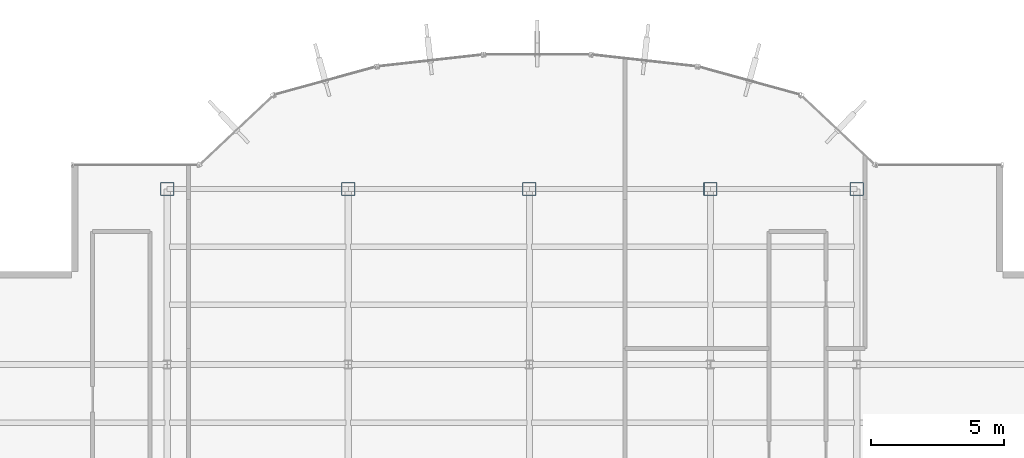
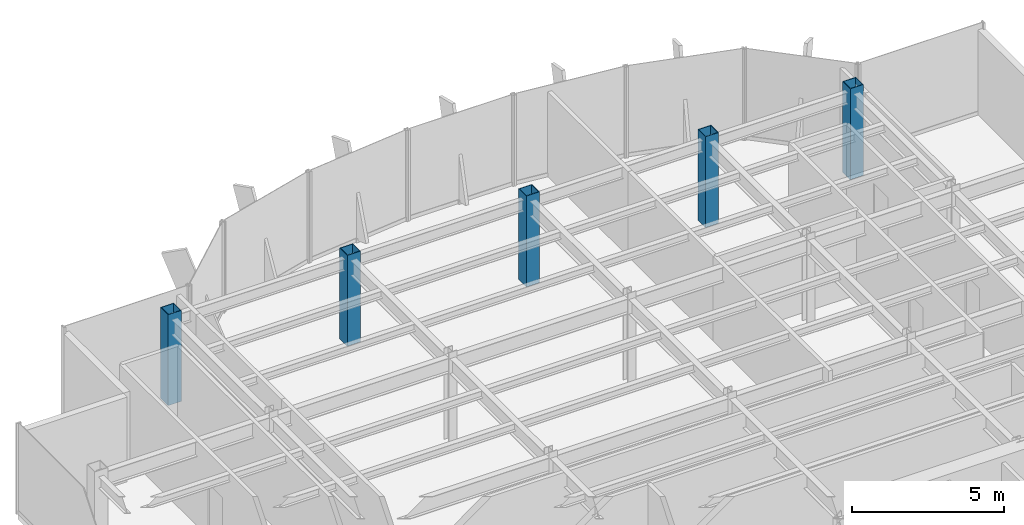
# One storey, part 2 of 22: 5 columns.
"""IFC4 building model written with IfcOpenShell, lengths in metres."""

import ifcopenshell
import ifcopenshell.guid

model = None  # the IFC model being written
_history = None  # IfcOwnerHistory: only IFC2X3 demands one
_inside = {}  # id of a spatial element -> (the spatial element, [elements in it])
_under = {}  # id of a project, library or spatial element -> (it, [spatial elements below it])
_declared = {}  # id of a project -> (the project, [libraries it declares])
_typed = {}  # id of a type object -> (the type object, [elements of that type])
_made_of = {}  # id of a material, layer set ... -> (it, [elements and type objects made of it])


def new_model(schema):
    """Start an empty IFC model of exactly this schema.

    Asked for "IFC4X3", IfcOpenShell would pick the latest addendum, in which some entities
    have other attributes; the version numbers below select the first issue.
    IFC2X3 requires an IfcOwnerHistory on every rooted entity: one is made here for all.
    """
    global model, _history
    if schema == "IFC4X3":
        model = ifcopenshell.file(schema_version=(4, 3, 0, 0))
    else:
        model = ifcopenshell.file(schema=schema)
    _inside.clear()
    _under.clear()
    _declared.clear()
    _typed.clear()
    _made_of.clear()
    _history = None
    if model.schema == "IFC2X3":
        org = make("IfcOrganization", Name="unknown")
        user = make(
            "IfcPersonAndOrganization",
            ThePerson=make("IfcPerson", FamilyName="unknown"),
            TheOrganization=org,
        )
        app = make(
            "IfcApplication",
            ApplicationDeveloper=org,
            Version="unknown",
            ApplicationFullName="unknown",
            ApplicationIdentifier="unknown",
        )
        _history = make(
            "IfcOwnerHistory",
            OwningUser=user,
            OwningApplication=app,
            ChangeAction="ADDED",
            CreationDate=0,
        )
    return model


def make(cls, **values):
    """One entity of the class cls with the attributes given. An attribute that is None is left unset."""
    return model.create_entity(
        cls, **{name: value for name, value in values.items() if value is not None}
    )


def rooted(cls, **values):
    """An entity with a GlobalId (a new one), such as an element, a storey or a relation."""
    return make(cls, GlobalId=ifcopenshell.guid.new(), OwnerHistory=_history, **values)


def si_unit(unit_type, name, prefix=None):
    """IfcSIUnit, for example si_unit("LENGTHUNIT", "METRE", prefix="MILLI")."""
    return make("IfcSIUnit", UnitType=unit_type, Prefix=prefix, Name=name)


def derived_unit(unit_type, elements):
    """IfcDerivedUnit: a product of units, each with its exponent."""
    return make(
        "IfcDerivedUnit",
        Elements=[
            make("IfcDerivedUnitElement", Unit=unit, Exponent=power)
            for unit, power in elements
        ],
        UnitType=unit_type,
    )


def assignment(units):
    """IfcUnitAssignment: the units of a project."""
    return None if units is None else make("IfcUnitAssignment", Units=units)


def point(xyz):
    """IfcCartesianPoint."""
    return None if xyz is None else make("IfcCartesianPoint", Coordinates=xyz)


def direction(xyz):
    """IfcDirection."""
    return None if xyz is None else make("IfcDirection", DirectionRatios=xyz)


def frame(location, z_axis=None, x_axis=None):
    """IfcAxis2Placement3D, a coordinate frame: its origin and axes. An axis left out is left unset."""
    return make(
        "IfcAxis2Placement3D",
        Location=point(location),
        Axis=direction(z_axis),
        RefDirection=direction(x_axis),
    )


def frame_2d(location, x_axis=None):
    """IfcAxis2Placement2D, a coordinate frame in the plane: its origin and x axis."""
    return make(
        "IfcAxis2Placement2D", Location=point(location), RefDirection=direction(x_axis)
    )


def origin():
    """The frame at (0, 0, 0) with its axes left unset."""
    return frame((0.0, 0.0, 0.0))


def origin_2d():
    """The frame at (0, 0) in the plane with its x axis left unset."""
    return frame_2d((0.0, 0.0))


def place(relative_to, where):
    """IfcLocalPlacement: puts the frame where relative to a parent placement (None: the world)."""
    return make(
        "IfcLocalPlacement", PlacementRelTo=relative_to, RelativePlacement=where
    )


def context(
    kind, dimensions, precision=None, world=None, true_north=None, identifier=None
):
    """IfcGeometricRepresentationContext, for example the 3D "Model" context."""
    return make(
        "IfcGeometricRepresentationContext",
        ContextIdentifier=identifier,
        ContextType=kind,
        CoordinateSpaceDimension=dimensions,
        Precision=precision,
        WorldCoordinateSystem=world,
        TrueNorth=true_north,
    )


def subcontext(parent, identifier, kind, view, scale=None):
    """IfcGeometricRepresentationSubContext, for example "Body" below "Model"."""
    return make(
        "IfcGeometricRepresentationSubContext",
        ContextIdentifier=identifier,
        ContextType=kind,
        ParentContext=parent,
        TargetScale=scale,
        TargetView=view,
    )


def project(units=None, contexts=None):
    """IfcProject with its units and contexts."""
    return rooted(
        "IfcProject",
        Name="project",
        RepresentationContexts=contexts,
        UnitsInContext=assignment(units),
    )


def spatial(cls, under=None, at=None, **own):
    """A site, building, storey or space (cls), placed at a placement, below another one or the project."""
    s = rooted(cls, ObjectPlacement=at, **own)
    if under is not None:
        _under.setdefault(under.id(), (under, []))[1].append(s)
    return s


def profile(cls, at=None, kind="AREA", **sizes):
    """A parametric profile (cls). Its sizes go by their IFC names, for example OverallWidth=200.0."""
    return make(cls, ProfileType=kind, Position=at, **sizes)


def hollow_rectangle(**sizes):
    """IfcRectangleHollowProfileDef."""
    return profile("IfcRectangleHollowProfileDef", **sizes)


def extrude(swept, where, along, depth):
    """IfcExtrudedAreaSolid: the profile swept, set in the frame where, extruded along a direction by depth."""
    return make(
        "IfcExtrudedAreaSolid",
        SweptArea=swept,
        Position=where,
        ExtrudedDirection=direction(along),
        Depth=depth,
    )


def shape(context_of_items, identifier, shape_type, items):
    """IfcShapeRepresentation: the items that make up one representation, for example the "Body"."""
    return make(
        "IfcShapeRepresentation",
        ContextOfItems=context_of_items,
        RepresentationIdentifier=identifier,
        RepresentationType=shape_type,
        Items=items,
    )


def source(mapping_origin, context_of_items, identifier, shape_type, items):
    """IfcRepresentationMap: a shape defined once, which mapped items show again and again."""
    return make(
        "IfcRepresentationMap",
        MappingOrigin=mapping_origin,
        MappedRepresentation=shape(context_of_items, identifier, shape_type, items),
    )


def transform(
    local_origin,
    x_axis=None,
    y_axis=None,
    z_axis=None,
    scale=None,
    scale2=None,
    scale3=None,
    uniform=True,
):
    """IfcCartesianTransformationOperator3D, or its non-uniform kind. x_axis, y_axis, z_axis: its Axis1, 2, 3."""
    if uniform:
        return make(
            "IfcCartesianTransformationOperator3D",
            Axis1=direction(x_axis),
            Axis2=direction(y_axis),
            LocalOrigin=point(local_origin),
            Scale=scale,
            Axis3=direction(z_axis),
        )
    return make(
        "IfcCartesianTransformationOperator3DnonUniform",
        Axis1=direction(x_axis),
        Axis2=direction(y_axis),
        LocalOrigin=point(local_origin),
        Scale=scale,
        Axis3=direction(z_axis),
        Scale2=scale2,
        Scale3=scale3,
    )


def mapped(mapping_source, mapping_target):
    """IfcMappedItem: shows the shape of a source again, moved by a transform."""
    return make(
        "IfcMappedItem", MappingSource=mapping_source, MappingTarget=mapping_target
    )


def material(Name=None, Category=None):
    """IfcMaterial."""
    return make("IfcMaterial", Name=Name, Category=Category)


def material_profile(
    of_material, cross_section, Name=None, Category=None, Priority=None
):
    """IfcMaterialProfile: a cross section and its material."""
    return make(
        "IfcMaterialProfile",
        Name=Name,
        Material=of_material,
        Profile=cross_section,
        Priority=Priority,
        Category=Category,
    )


def profile_set(profiles, Name=None, composite=None):
    """IfcMaterialProfileSet."""
    return make(
        "IfcMaterialProfileSet",
        Name=Name,
        MaterialProfiles=profiles,
        CompositeProfile=composite,
    )


def made_of(thing, what):
    """Note that an element or type object is made of a material, layer set ...; save() writes the relation."""
    if what is not None:
        _made_of.setdefault(what.id(), (what, []))[1].append(thing)
    return thing


def type_object(cls, material=None, **own):
    """A type object (cls), such as IfcWallType, which elements share."""
    return made_of(rooted(cls, **own), material)


def element(
    cls,
    number,
    at=None,
    inside=None,
    cuts=None,
    type_object=None,
    material=None,
    context=None,
    identifier="Body",
    shape_type=None,
    held_by="IfcProductDefinitionShape",
    body=None,
    shapes=None,
    **own,
):
    """One element of the class cls, such as IfcWall. Its Tag is "e" and its number.

    at: its placement. inside: the storey or other place that contains it. cuts: it is an
    opening in that element (IfcRelVoidsElement). A single representation is given by context,
    identifier, shape_type and body (its items); several are given by shapes. held_by: the class
    of the entity that holds the representations. save() writes the other relations.
    """
    e = rooted(cls, Tag="e%d" % number, ObjectPlacement=at, **own)
    if body is not None:
        shapes = [shape(context, identifier, shape_type, body)]
    if shapes is not None:
        e.Representation = make(held_by, Representations=shapes)
    if inside is not None:
        _inside.setdefault(inside.id(), (inside, []))[1].append(e)
    if cuts is not None:
        rooted(
            "IfcRelVoidsElement", RelatingBuildingElement=cuts, RelatedOpeningElement=e
        )
    if type_object is not None:
        _typed.setdefault(type_object.id(), (type_object, []))[1].append(e)
    return made_of(e, material)


def aggregate(whole, parts):
    """IfcRelAggregates: a whole, such as a stair, and the parts it consists of."""
    return rooted("IfcRelAggregates", RelatingObject=whole, RelatedObjects=parts)


def save(model, path):
    """Write the relations noted so far, then the file.

    IfcRelAggregates (storeys below a building ...), IfcRelContainedInSpatialStructure (elements
    in a storey), IfcRelDefinesByType, IfcRelAssociatesMaterial and IfcRelDeclares: one each for
    every whole, place, type object, material and project.
    """
    for whole, parts in _under.values():
        aggregate(whole, parts)
    for where, things in _inside.values():
        rooted(
            "IfcRelContainedInSpatialStructure",
            RelatedElements=things,
            RelatingStructure=where,
        )
    for kind, things in _typed.values():
        rooted("IfcRelDefinesByType", RelatedObjects=things, RelatingType=kind)
    for what, things in _made_of.values():
        rooted("IfcRelAssociatesMaterial", RelatedObjects=things, RelatingMaterial=what)
    for by, libraries in _declared.values():
        rooted("IfcRelDeclares", RelatingContext=by, RelatedDefinitions=libraries)
    model.write(path)


model = new_model("IFC4")

# Units and contexts
model_context = context("Model", 3, precision=1e-05, world=origin(), true_north=direction((0.0, 1.0)))
body_context = subcontext(model_context, "Body", "Model", "MODEL_VIEW")
ifc_project = project(units=[si_unit("LENGTHUNIT", "METRE"), si_unit("AREAUNIT", "SQUARE_METRE"), si_unit("VOLUMEUNIT", "CUBIC_METRE"), si_unit("PLANEANGLEUNIT", "RADIAN"), si_unit("MASSUNIT", "GRAM", prefix="KILO"), derived_unit("THERMALTRANSMITTANCEUNIT", [(si_unit("POWERUNIT", "WATT"), 1), (si_unit("LENGTHUNIT", "METRE"), -2), (si_unit("THERMODYNAMICTEMPERATUREUNIT", "KELVIN"), -1)])], contexts=[model_context])

# Site, building, storey
site_placement = place(None, origin())
site = spatial("IfcSite", under=ifc_project, at=site_placement, CompositionType="ELEMENT")
building_placement = place(site_placement, origin())
building = spatial("IfcBuilding", under=site, at=building_placement, Name="Skarnbrae Concourse Arena and Tower", CompositionType="ELEMENT")
storey_placement = place(building_placement, frame((0.0, 0.0, 284.35009765625)))
storey = spatial("IfcBuildingStorey", under=building, at=storey_placement, Name="L74", CompositionType="ELEMENT", Elevation=284.35009765625)

# Columns
ifc_material = material(Name="Steel CSA G40.21 350W", Category="steel")
ifc_material_profile = material_profile(ifc_material, hollow_rectangle(XDim=0.5, YDim=0.5, WallThickness=0.02197265625, at=origin_2d()), Name="HSS500X500X22.0")
ifc_profile_set = profile_set([ifc_material_profile], Name="Steel CSA G40.21 350W")
column_type = type_object("IfcColumnType", Name="COL-TUBE-HSS500", PredefinedType="COLUMN", material=ifc_profile_set)
shared_shape = source(origin(), body_context, "Body", "SweptSolid", [
    extrude(hollow_rectangle(XDim=0.5, YDim=0.5, WallThickness=0.02197265625, at=origin_2d()), origin(), (0.0, 0.0, 1.0), 3.64990234375),
])
for number, where, z_axis, x_axis, name in (
    (1, (7.60009765625, 34.39990234375, 0.0), (0.0, 0.0, 1.0), (1.0, 0.0, 0.0), "L74 Tower column PC_02_05"),
    (2, (14.39990234375, 34.39990234375, 0.0), (0.0, 0.0, 1.0), (1.0, 0.0, 0.0), "L74 Tower column PC_03_05"),
    (3, (21.199951171875, 34.39990234375, 0.0), (0.0, 0.0, 1.0), (1.0, 0.0, 0.0), "L74 Tower column PC_04_05"),
    (4, (28.0, 34.39990234375, 0.0), (0.0, 0.0, 1.0), (1.0, 0.0, 0.0), "L74 Tower column PC_05_05"),
    (5, (33.5, 34.39990234375, 0.0), (0.0, 0.0, 1.0), (1.0, 0.0, 0.0), "L74 Tower column PC_06_05"),
):
    element("IfcColumn", number, at=place(storey_placement, frame(where, z_axis=z_axis, x_axis=x_axis)), inside=storey, type_object=column_type, Name=name, PredefinedType="COLUMN", context=body_context, shape_type="MappedRepresentation", body=[
        mapped(shared_shape, transform((0.0, 0.0, 0.0))),
    ])

save(model, "model.ifc")
